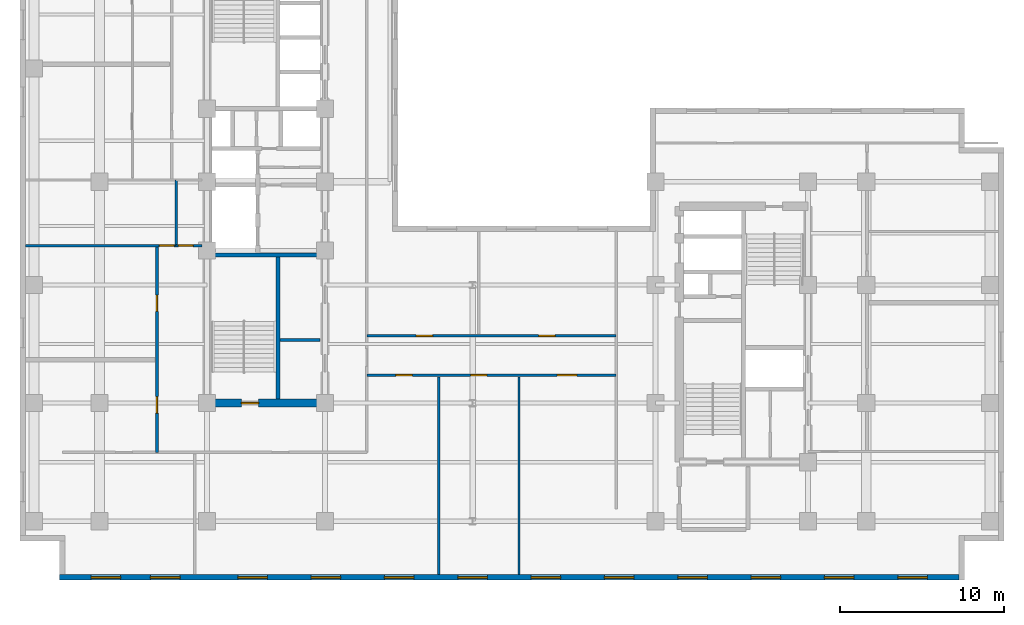
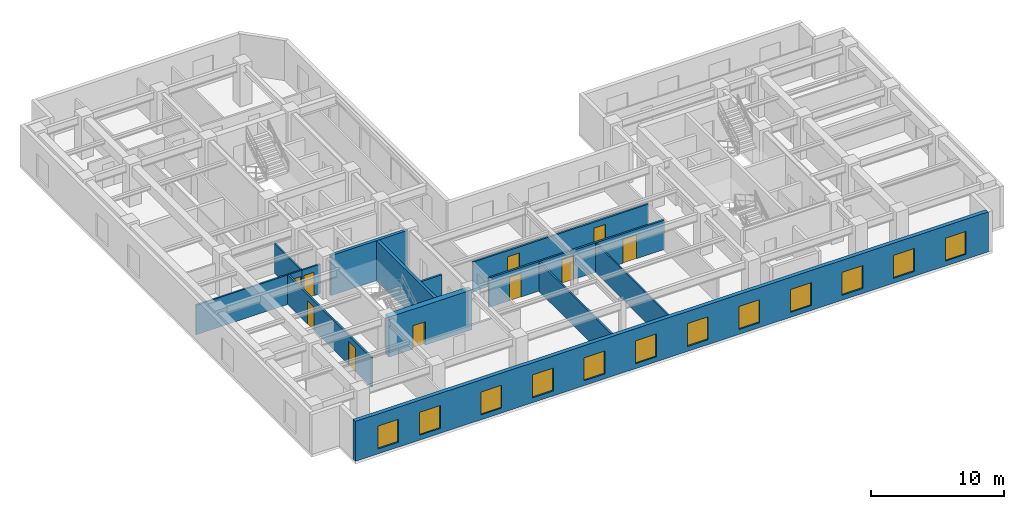
# One storey, part 3 of 10: 13 walls, 12 windows, 10 doors, 22 openings.
"""IFC4 building model written with IfcOpenShell, lengths in metres."""

from ifc_helpers import new_model, entity, si_unit, converted_unit, direction, frame, origin_with_axes, origin_2d_with_axis, place, context, subcontext, project, spatial, polyline, rectangle, outline, extrude, material, layer, layer_set, type_object, element, fill, save


model = new_model("IFC4")

# Units and contexts
model_context = context("Model", 3, precision=1e-05, world=origin_with_axes(), true_north=direction((0.0, 1.0)))
body_context = subcontext(model_context, "Body", "Model", "MODEL_VIEW")
ifc_project = project(units=[si_unit("LENGTHUNIT", "METRE"), si_unit("AREAUNIT", "SQUARE_METRE"), si_unit("VOLUMEUNIT", "CUBIC_METRE"), converted_unit("PLANEANGLEUNIT", "DEGREE", entity("IfcPlaneAngleMeasure", 0.017453292519943295), si_unit("PLANEANGLEUNIT", "RADIAN"), dimensions=[0, 0, 0, 0, 0, 0, 0]), si_unit("MASSUNIT", "GRAM", prefix="KILO"), si_unit("THERMODYNAMICTEMPERATUREUNIT", "KELVIN")], contexts=[model_context])

# Site, building, storey
site_placement = place(None, origin_with_axes())
site = spatial("IfcSite", under=ifc_project, at=site_placement, CompositionType="ELEMENT")
building_placement = place(site_placement, origin_with_axes())
building = spatial("IfcBuilding", under=site, at=building_placement, Name="Varnlund Millrace Tower", CompositionType="ELEMENT")
storey_placement = place(building_placement, frame((0.0, 0.0, 156.3), z_axis=(0.0, 0.0, 1.0), x_axis=(1.0, 0.0, 0.0)))
storey = spatial("IfcBuildingStorey", under=building, at=storey_placement, Name="L38", CompositionType="ELEMENT", Elevation=156.3)

# Wall, opening, door
ifc_material_1 = material(Name="Concrete C70/85", Category="concrete")
ifc_layer_1 = layer(ifc_material_1, 0.5, Name="Concrete C70/85")
ifc_layer_set_1 = layer_set([ifc_layer_1], Name="Concrete C70/85")
wall_type_1 = type_object("IfcWallType", Name="Type-CoreWall-Shear-500-C70", PredefinedType="SHEAR", material=ifc_layer_set_1)
wall_1_placement = place(storey_placement, frame((11.4, 10.8, 0.0), z_axis=(0.0, 0.0, 1.0), x_axis=(1.0, 0.0, 0.0)))
wall_1 = element("IfcWall", 1, at=wall_1_placement, inside=storey, type_object=wall_type_1, Name="Type-CoreWall-Shear-500-C70", PredefinedType="SHEAR", context=body_context, shape_type="SweptSolid", body=[
    extrude(outline(polyline([(0.0, -0.25), (7.2, -0.25), (7.2, 0.25), (0.0, 0.25), (0.0, -0.25)])), origin_with_axes(), (0.0, 0.0, 1.0), 3.66),
])
opening_1_placement = place(wall_1_placement, frame((2.625, 0.0, 0.0), z_axis=(0.0, 0.0, 1.0), x_axis=(1.0, 0.0, 0.0)))
opening_1 = element("IfcOpeningElement", 2, at=opening_1_placement, cuts=wall_1, Name="Opening L38:DR-STA1", PredefinedType="OPENING", context=body_context, shape_type="SweptSolid", body=[
    extrude(rectangle(XDim=1.05, YDim=0.52, at=origin_2d_with_axis()), origin_with_axes(), (0.0, 0.0, 1.0), 2.15),
])
ifc_material_2 = material(Name="Fire-rated hollow steel door", Category="steel")
door_type_1 = type_object("IfcDoorType", Name="Type-FireDoor-Stair-1050X2150", OperationType="NOTDEFINED", PredefinedType="DOOR", material=ifc_material_2)
door_1_placement = place(wall_1_placement, frame((2.625, 0.0, 0.0), z_axis=(0.0, 0.0, 1.0), x_axis=(1.0, 0.0, 0.0)))
door_1 = element("IfcDoor", 3, at=door_1_placement, inside=storey, type_object=door_type_1, Name="Type-FireDoor-Stair-1050X2150", OperationType="SINGLE_SWING_LEFT", OverallHeight=2.15, OverallWidth=1.05, PredefinedType="DOOR", context=body_context, shape_type="SweptSolid", body=[
    extrude(rectangle(XDim=1.05, YDim=0.09, at=origin_2d_with_axis()), origin_with_axes(), (0.0, 0.0, 1.0), 2.15),
])
fill(opening_1, door_1)

# Wall, openings, windows
ifc_material_3 = material(Name="Precast concrete C50/60", Category="concrete")
ifc_layer_2 = layer(ifc_material_3, 0.34, Name="Precast concrete C50/60")
ifc_layer_set_2 = layer_set([ifc_layer_2], Name="Precast concrete C50/60")
wall_type_2 = type_object("IfcWallType", Name="Type-ExtWall-Precast-Upper-340", PredefinedType="SOLIDWALL", material=ifc_layer_set_2)
wall_2_placement = place(storey_placement, frame((57.26, 0.17, 0.0), z_axis=(0.0, 0.0, 1.0), x_axis=(-1.0, 0.0, 0.0)))
wall_2 = element("IfcWall", 4, at=wall_2_placement, inside=storey, type_object=wall_type_2, Name="Type-ExtWall-Precast-Upper-340", PredefinedType="SOLIDWALL", context=body_context, shape_type="SweptSolid", body=[
    extrude(outline(polyline([(0.0, -0.17), (54.86, -0.17), (54.86, 0.17), (0.0, 0.17), (0.0, -0.17)])), origin_with_axes(), (0.0, 0.0, 1.0), 3.66),
])
opening_2_placement = place(wall_2_placement, frame((2.836, 0.0, 0.45), z_axis=(0.0, 0.0, 1.0), x_axis=(1.0, 0.0, 0.0)))
opening_2 = element("IfcOpeningElement", 5, at=opening_2_placement, cuts=wall_2, Name="Opening L38:WN-07", PredefinedType="OPENING", context=body_context, shape_type="SweptSolid", body=[
    extrude(rectangle(XDim=1.8, YDim=0.36, at=origin_2d_with_axis()), origin_with_axes(), (0.0, 0.0, 1.0), 2.1),
])
opening_3_placement = place(wall_2_placement, frame((7.307, 0.0, 0.45), z_axis=(0.0, 0.0, 1.0), x_axis=(1.0, 0.0, 0.0)))
opening_3 = element("IfcOpeningElement", 6, at=opening_3_placement, cuts=wall_2, Name="Opening L38:WN-08", PredefinedType="OPENING", context=body_context, shape_type="SweptSolid", body=[
    extrude(rectangle(XDim=1.8, YDim=0.36, at=origin_2d_with_axis()), origin_with_axes(), (0.0, 0.0, 1.0), 2.1),
])
opening_4_placement = place(wall_2_placement, frame((11.779, 0.0, 0.45), z_axis=(0.0, 0.0, 1.0), x_axis=(1.0, 0.0, 0.0)))
opening_4 = element("IfcOpeningElement", 7, at=opening_4_placement, cuts=wall_2, Name="Opening L38:WN-09", PredefinedType="OPENING", context=body_context, shape_type="SweptSolid", body=[
    extrude(rectangle(XDim=1.8, YDim=0.36, at=origin_2d_with_axis()), origin_with_axes(), (0.0, 0.0, 1.0), 2.1),
])
opening_5_placement = place(wall_2_placement, frame((16.251, 0.0, 0.45), z_axis=(0.0, 0.0, 1.0), x_axis=(1.0, 0.0, 0.0)))
opening_5 = element("IfcOpeningElement", 8, at=opening_5_placement, cuts=wall_2, Name="Opening L38:WN-10", PredefinedType="OPENING", context=body_context, shape_type="SweptSolid", body=[
    extrude(rectangle(XDim=1.8, YDim=0.36, at=origin_2d_with_axis()), origin_with_axes(), (0.0, 0.0, 1.0), 2.1),
])
opening_6_placement = place(wall_2_placement, frame((20.723, 0.0, 0.45), z_axis=(0.0, 0.0, 1.0), x_axis=(1.0, 0.0, 0.0)))
opening_6 = element("IfcOpeningElement", 9, at=opening_6_placement, cuts=wall_2, Name="Opening L38:WN-11", PredefinedType="OPENING", context=body_context, shape_type="SweptSolid", body=[
    extrude(rectangle(XDim=1.8, YDim=0.36, at=origin_2d_with_axis()), origin_with_axes(), (0.0, 0.0, 1.0), 2.1),
])
opening_7_placement = place(wall_2_placement, frame((25.194, 0.0, 0.45), z_axis=(0.0, 0.0, 1.0), x_axis=(1.0, 0.0, 0.0)))
opening_7 = element("IfcOpeningElement", 10, at=opening_7_placement, cuts=wall_2, Name="Opening L38:WN-12", PredefinedType="OPENING", context=body_context, shape_type="SweptSolid", body=[
    extrude(rectangle(XDim=1.8, YDim=0.36, at=origin_2d_with_axis()), origin_with_axes(), (0.0, 0.0, 1.0), 2.1),
])
opening_8_placement = place(wall_2_placement, frame((29.666, 0.0, 0.45), z_axis=(0.0, 0.0, 1.0), x_axis=(1.0, 0.0, 0.0)))
opening_8 = element("IfcOpeningElement", 11, at=opening_8_placement, cuts=wall_2, Name="Opening L38:WN-13", PredefinedType="OPENING", context=body_context, shape_type="SweptSolid", body=[
    extrude(rectangle(XDim=1.8, YDim=0.36, at=origin_2d_with_axis()), origin_with_axes(), (0.0, 0.0, 1.0), 2.1),
])
opening_9_placement = place(wall_2_placement, frame((34.138, 0.0, 0.45), z_axis=(0.0, 0.0, 1.0), x_axis=(1.0, 0.0, 0.0)))
opening_9 = element("IfcOpeningElement", 12, at=opening_9_placement, cuts=wall_2, Name="Opening L38:WN-14", PredefinedType="OPENING", context=body_context, shape_type="SweptSolid", body=[
    extrude(rectangle(XDim=1.8, YDim=0.36, at=origin_2d_with_axis()), origin_with_axes(), (0.0, 0.0, 1.0), 2.1),
])
opening_10_placement = place(wall_2_placement, frame((38.609, 0.0, 0.45), z_axis=(0.0, 0.0, 1.0), x_axis=(1.0, 0.0, 0.0)))
opening_10 = element("IfcOpeningElement", 13, at=opening_10_placement, cuts=wall_2, Name="Opening L38:WN-15", PredefinedType="OPENING", context=body_context, shape_type="SweptSolid", body=[
    extrude(rectangle(XDim=1.8, YDim=0.36, at=origin_2d_with_axis()), origin_with_axes(), (0.0, 0.0, 1.0), 2.1),
])
opening_11_placement = place(wall_2_placement, frame((43.081, 0.0, 0.45), z_axis=(0.0, 0.0, 1.0), x_axis=(1.0, 0.0, 0.0)))
opening_11 = element("IfcOpeningElement", 14, at=opening_11_placement, cuts=wall_2, Name="Opening L38:WN-16", PredefinedType="OPENING", context=body_context, shape_type="SweptSolid", body=[
    extrude(rectangle(XDim=1.8, YDim=0.36, at=origin_2d_with_axis()), origin_with_axes(), (0.0, 0.0, 1.0), 2.1),
])
opening_12_placement = place(wall_2_placement, frame((48.403, 0.0, 0.45), z_axis=(0.0, 0.0, 1.0), x_axis=(1.0, 0.0, 0.0)))
opening_12 = element("IfcOpeningElement", 15, at=opening_12_placement, cuts=wall_2, Name="Opening L38:WN-17", PredefinedType="OPENING", context=body_context, shape_type="SweptSolid", body=[
    extrude(rectangle(XDim=1.8, YDim=0.36, at=origin_2d_with_axis()), origin_with_axes(), (0.0, 0.0, 1.0), 2.1),
])
opening_13_placement = place(wall_2_placement, frame((52.024, 0.0, 0.45), z_axis=(0.0, 0.0, 1.0), x_axis=(1.0, 0.0, 0.0)))
opening_13 = element("IfcOpeningElement", 16, at=opening_13_placement, cuts=wall_2, Name="Opening L38:WN-18", PredefinedType="OPENING", context=body_context, shape_type="SweptSolid", body=[
    extrude(rectangle(XDim=1.8, YDim=0.36, at=origin_2d_with_axis()), origin_with_axes(), (0.0, 0.0, 1.0), 2.1),
])
ifc_material_4 = material(Name="Argon low-e triple glazing in thermally broken bronze frame", Category="glass")
window_type = type_object("IfcWindowType", Name="Type-Window-Punched-1800X2100", PartitioningType="SINGLE_PANEL", PredefinedType="WINDOW", material=ifc_material_4)
window_1_placement = place(wall_2_placement, frame((2.836, 0.0, 0.45), z_axis=(0.0, 0.0, 1.0), x_axis=(1.0, 0.0, 0.0)))
window_1 = element("IfcWindow", 17, at=window_1_placement, inside=storey, type_object=window_type, Name="Type-Window-Punched-1800X2100", OverallHeight=2.1, OverallWidth=1.8, PredefinedType="WINDOW", context=body_context, shape_type="SweptSolid", body=[
    extrude(rectangle(XDim=1.8, YDim=0.09, at=origin_2d_with_axis()), origin_with_axes(), (0.0, 0.0, 1.0), 2.1),
])
fill(opening_2, window_1)
window_2_placement = place(wall_2_placement, frame((7.307, 0.0, 0.45), z_axis=(0.0, 0.0, 1.0), x_axis=(1.0, 0.0, 0.0)))
window_2 = element("IfcWindow", 18, at=window_2_placement, inside=storey, type_object=window_type, Name="Type-Window-Punched-1800X2100", OverallHeight=2.1, OverallWidth=1.8, PredefinedType="WINDOW", context=body_context, shape_type="SweptSolid", body=[
    extrude(rectangle(XDim=1.8, YDim=0.09, at=origin_2d_with_axis()), origin_with_axes(), (0.0, 0.0, 1.0), 2.1),
])
fill(opening_3, window_2)
window_3_placement = place(wall_2_placement, frame((11.779, 0.0, 0.45), z_axis=(0.0, 0.0, 1.0), x_axis=(1.0, 0.0, 0.0)))
window_3 = element("IfcWindow", 19, at=window_3_placement, inside=storey, type_object=window_type, Name="Type-Window-Punched-1800X2100", OverallHeight=2.1, OverallWidth=1.8, PredefinedType="WINDOW", context=body_context, shape_type="SweptSolid", body=[
    extrude(rectangle(XDim=1.8, YDim=0.09, at=origin_2d_with_axis()), origin_with_axes(), (0.0, 0.0, 1.0), 2.1),
])
fill(opening_4, window_3)
window_4_placement = place(wall_2_placement, frame((16.251, 0.0, 0.45), z_axis=(0.0, 0.0, 1.0), x_axis=(1.0, 0.0, 0.0)))
window_4 = element("IfcWindow", 20, at=window_4_placement, inside=storey, type_object=window_type, Name="Type-Window-Punched-1800X2100", OverallHeight=2.1, OverallWidth=1.8, PredefinedType="WINDOW", context=body_context, shape_type="SweptSolid", body=[
    extrude(rectangle(XDim=1.8, YDim=0.09, at=origin_2d_with_axis()), origin_with_axes(), (0.0, 0.0, 1.0), 2.1),
])
fill(opening_5, window_4)
window_5_placement = place(wall_2_placement, frame((20.723, 0.0, 0.45), z_axis=(0.0, 0.0, 1.0), x_axis=(1.0, 0.0, 0.0)))
window_5 = element("IfcWindow", 21, at=window_5_placement, inside=storey, type_object=window_type, Name="Type-Window-Punched-1800X2100", OverallHeight=2.1, OverallWidth=1.8, PredefinedType="WINDOW", context=body_context, shape_type="SweptSolid", body=[
    extrude(rectangle(XDim=1.8, YDim=0.09, at=origin_2d_with_axis()), origin_with_axes(), (0.0, 0.0, 1.0), 2.1),
])
fill(opening_6, window_5)
window_6_placement = place(wall_2_placement, frame((25.194, 0.0, 0.45), z_axis=(0.0, 0.0, 1.0), x_axis=(1.0, 0.0, 0.0)))
window_6 = element("IfcWindow", 22, at=window_6_placement, inside=storey, type_object=window_type, Name="Type-Window-Punched-1800X2100", OverallHeight=2.1, OverallWidth=1.8, PredefinedType="WINDOW", context=body_context, shape_type="SweptSolid", body=[
    extrude(rectangle(XDim=1.8, YDim=0.09, at=origin_2d_with_axis()), origin_with_axes(), (0.0, 0.0, 1.0), 2.1),
])
fill(opening_7, window_6)
window_7_placement = place(wall_2_placement, frame((29.666, 0.0, 0.45), z_axis=(0.0, 0.0, 1.0), x_axis=(1.0, 0.0, 0.0)))
window_7 = element("IfcWindow", 23, at=window_7_placement, inside=storey, type_object=window_type, Name="Type-Window-Punched-1800X2100", OverallHeight=2.1, OverallWidth=1.8, PredefinedType="WINDOW", context=body_context, shape_type="SweptSolid", body=[
    extrude(rectangle(XDim=1.8, YDim=0.09, at=origin_2d_with_axis()), origin_with_axes(), (0.0, 0.0, 1.0), 2.1),
])
fill(opening_8, window_7)
window_8_placement = place(wall_2_placement, frame((34.138, 0.0, 0.45), z_axis=(0.0, 0.0, 1.0), x_axis=(1.0, 0.0, 0.0)))
window_8 = element("IfcWindow", 24, at=window_8_placement, inside=storey, type_object=window_type, Name="Type-Window-Punched-1800X2100", OverallHeight=2.1, OverallWidth=1.8, PredefinedType="WINDOW", context=body_context, shape_type="SweptSolid", body=[
    extrude(rectangle(XDim=1.8, YDim=0.09, at=origin_2d_with_axis()), origin_with_axes(), (0.0, 0.0, 1.0), 2.1),
])
fill(opening_9, window_8)
window_9_placement = place(wall_2_placement, frame((38.609, 0.0, 0.45), z_axis=(0.0, 0.0, 1.0), x_axis=(1.0, 0.0, 0.0)))
window_9 = element("IfcWindow", 25, at=window_9_placement, inside=storey, type_object=window_type, Name="Type-Window-Punched-1800X2100", OverallHeight=2.1, OverallWidth=1.8, PredefinedType="WINDOW", context=body_context, shape_type="SweptSolid", body=[
    extrude(rectangle(XDim=1.8, YDim=0.09, at=origin_2d_with_axis()), origin_with_axes(), (0.0, 0.0, 1.0), 2.1),
])
fill(opening_10, window_9)
window_10_placement = place(wall_2_placement, frame((43.081, 0.0, 0.45), z_axis=(0.0, 0.0, 1.0), x_axis=(1.0, 0.0, 0.0)))
window_10 = element("IfcWindow", 26, at=window_10_placement, inside=storey, type_object=window_type, Name="Type-Window-Punched-1800X2100", OverallHeight=2.1, OverallWidth=1.8, PredefinedType="WINDOW", context=body_context, shape_type="SweptSolid", body=[
    extrude(rectangle(XDim=1.8, YDim=0.09, at=origin_2d_with_axis()), origin_with_axes(), (0.0, 0.0, 1.0), 2.1),
])
fill(opening_11, window_10)
window_11_placement = place(wall_2_placement, frame((48.403, 0.0, 0.45), z_axis=(0.0, 0.0, 1.0), x_axis=(1.0, 0.0, 0.0)))
window_11 = element("IfcWindow", 27, at=window_11_placement, inside=storey, type_object=window_type, Name="Type-Window-Punched-1800X2100", OverallHeight=2.1, OverallWidth=1.8, PredefinedType="WINDOW", context=body_context, shape_type="SweptSolid", body=[
    extrude(rectangle(XDim=1.8, YDim=0.09, at=origin_2d_with_axis()), origin_with_axes(), (0.0, 0.0, 1.0), 2.1),
])
fill(opening_12, window_11)
window_12_placement = place(wall_2_placement, frame((52.024, 0.0, 0.45), z_axis=(0.0, 0.0, 1.0), x_axis=(1.0, 0.0, 0.0)))
window_12 = element("IfcWindow", 28, at=window_12_placement, inside=storey, type_object=window_type, Name="Type-Window-Punched-1800X2100", OverallHeight=2.1, OverallWidth=1.8, PredefinedType="WINDOW", context=body_context, shape_type="SweptSolid", body=[
    extrude(rectangle(XDim=1.8, YDim=0.09, at=origin_2d_with_axis()), origin_with_axes(), (0.0, 0.0, 1.0), 2.1),
])
fill(opening_13, window_12)

# Wall
ifc_material_5 = material(Name="Fire-rated gypsum board on cold-formed steel framing", Category="steel")
ifc_layer_3 = layer(ifc_material_5, 0.16, Name="Fire-rated gypsum board on cold-formed steel framing")
ifc_layer_set_3 = layer_set([ifc_layer_3], Name="Fire-rated gypsum board on cold-formed steel framing")
wall_type_3 = type_object("IfcWallType", Name="Type-Partition-Corridor-160", PredefinedType="PARTITIONING", material=ifc_layer_set_3)
wall_3_placement = place(storey_placement, frame((15.84, 14.65, 0.0), z_axis=(0.0, 0.0, 1.0), x_axis=(1.0, 0.0, 0.0)))
element("IfcWall", 29, at=wall_3_placement, inside=storey, type_object=wall_type_3, Name="Type-Partition-Corridor-160", PredefinedType="PARTITIONING", context=body_context, shape_type="SweptSolid", body=[
    extrude(outline(polyline([(0.0, -0.08), (2.46, -0.08), (2.46, 0.08), (0.0, 0.08), (0.0, -0.08)])), origin_with_axes(), (0.0, 0.0, 1.0), 2.7),
])

# Wall, openings, doors
wall_4_placement = place(storey_placement, frame((8.35, 7.8, 0.0), z_axis=(0.0, 0.0, 1.0), x_axis=(0.0, 1.0, 0.0)))
wall_4 = element("IfcWall", 30, at=wall_4_placement, inside=storey, type_object=wall_type_3, Name="Type-Partition-Corridor-160", PredefinedType="PARTITIONING", context=body_context, shape_type="SweptSolid", body=[
    extrude(outline(polyline([(0.0, -0.08), (12.6, -0.08), (12.6, 0.08), (0.0, 0.08), (0.0, -0.08)])), origin_with_axes(), (0.0, 0.0, 1.0), 2.7),
])
opening_14_placement = place(wall_4_placement, frame((2.8925, 0.0, 0.0), z_axis=(0.0, 0.0, 1.0), x_axis=(1.0, 0.0, 0.0)))
opening_14 = element("IfcOpeningElement", 31, at=opening_14_placement, cuts=wall_4, Name="Opening L38:DR-WS-01", PredefinedType="OPENING", context=body_context, shape_type="SweptSolid", body=[
    extrude(rectangle(XDim=1.0, YDim=0.18, at=origin_2d_with_axis()), origin_with_axes(), (0.0, 0.0, 1.0), 2.15),
])
opening_15_placement = place(wall_4_placement, frame((9.0875, 0.0, 0.0), z_axis=(0.0, 0.0, 1.0), x_axis=(1.0, 0.0, 0.0)))
opening_15 = element("IfcOpeningElement", 32, at=opening_15_placement, cuts=wall_4, Name="Opening L38:DR-WS-02", PredefinedType="OPENING", context=body_context, shape_type="SweptSolid", body=[
    extrude(rectangle(XDim=1.0, YDim=0.18, at=origin_2d_with_axis()), origin_with_axes(), (0.0, 0.0, 1.0), 2.15),
])
ifc_material_6 = material(Name="Solid-core white oak and bronze frame door")
door_type_2 = type_object("IfcDoorType", Name="Type-IntDoor-Office-1000X2150", OperationType="NOTDEFINED", PredefinedType="DOOR", material=ifc_material_6)
door_2_placement = place(wall_4_placement, frame((2.8925, 0.0, 0.0), z_axis=(0.0, 0.0, 1.0), x_axis=(1.0, 0.0, 0.0)))
door_2 = element("IfcDoor", 33, at=door_2_placement, inside=storey, type_object=door_type_2, Name="Type-IntDoor-Office-1000X2150", OperationType="SINGLE_SWING_LEFT", OverallHeight=2.15, OverallWidth=1.0, PredefinedType="DOOR", context=body_context, shape_type="SweptSolid", body=[
    extrude(rectangle(XDim=1.0, YDim=0.09, at=origin_2d_with_axis()), origin_with_axes(), (0.0, 0.0, 1.0), 2.15),
])
fill(opening_14, door_2)
door_3_placement = place(wall_4_placement, frame((9.0875, 0.0, 0.0), z_axis=(0.0, 0.0, 1.0), x_axis=(1.0, 0.0, 0.0)))
door_3 = element("IfcDoor", 34, at=door_3_placement, inside=storey, type_object=door_type_2, Name="Type-IntDoor-Office-1000X2150", OperationType="SINGLE_SWING_RIGHT", OverallHeight=2.15, OverallWidth=1.0, PredefinedType="DOOR", context=body_context, shape_type="SweptSolid", body=[
    extrude(rectangle(XDim=1.0, YDim=0.09, at=origin_2d_with_axis()), origin_with_axes(), (0.0, 0.0, 1.0), 2.15),
])
fill(opening_15, door_3)

wall_5_placement = place(storey_placement, frame((21.15, 12.5, 0.0), z_axis=(0.0, 0.0, 1.0), x_axis=(1.0, 0.0, 0.0)))
wall_5 = element("IfcWall", 35, at=wall_5_placement, inside=storey, type_object=wall_type_3, Name="Type-Partition-Corridor-160", PredefinedType="PARTITIONING", context=body_context, shape_type="SweptSolid", body=[
    extrude(outline(polyline([(0.0, -0.08), (15.2, -0.08), (15.2, 0.08), (0.0, 0.08), (0.0, -0.08)])), origin_with_axes(), (0.0, 0.0, 1.0), 2.7),
])
opening_16_placement = place(wall_5_placement, frame((2.276, 0.0, 0.0), z_axis=(0.0, 0.0, 1.0), x_axis=(1.0, 0.0, 0.0)))
opening_16 = element("IfcOpeningElement", 36, at=opening_16_placement, cuts=wall_5, Name="Opening L38:DR-KNS-01", PredefinedType="OPENING", context=body_context, shape_type="SweptSolid", body=[
    extrude(rectangle(XDim=1.0, YDim=0.18, at=origin_2d_with_axis()), origin_with_axes(), (0.0, 0.0, 1.0), 2.15),
])
opening_17_placement = place(wall_5_placement, frame((6.8245, 0.0, 0.0), z_axis=(0.0, 0.0, 1.0), x_axis=(1.0, 0.0, 0.0)))
opening_17 = element("IfcOpeningElement", 37, at=opening_17_placement, cuts=wall_5, Name="Opening L38:DR-KNS-02", PredefinedType="OPENING", context=body_context, shape_type="SweptSolid", body=[
    extrude(rectangle(XDim=1.0, YDim=0.18, at=origin_2d_with_axis()), origin_with_axes(), (0.0, 0.0, 1.0), 2.15),
])
opening_18_placement = place(wall_5_placement, frame((12.1985, 0.0, 0.0), z_axis=(0.0, 0.0, 1.0), x_axis=(1.0, 0.0, 0.0)))
opening_18 = element("IfcOpeningElement", 38, at=opening_18_placement, cuts=wall_5, Name="Opening L38:DR-KNS-03", PredefinedType="OPENING", context=body_context, shape_type="SweptSolid", body=[
    extrude(rectangle(XDim=1.2, YDim=0.18, at=origin_2d_with_axis()), origin_with_axes(), (0.0, 0.0, 1.0), 2.2),
])
ifc_material_7 = material(Name="Wide executive white oak acoustic door")
door_type_3 = type_object("IfcDoorType", Name="Type-IntDoor-Exec-1200X2200", OperationType="NOTDEFINED", PredefinedType="DOOR", material=ifc_material_7)
door_4_placement = place(wall_5_placement, frame((12.1985, 0.0, 0.0), z_axis=(0.0, 0.0, 1.0), x_axis=(1.0, 0.0, 0.0)))
door_4 = element("IfcDoor", 39, at=door_4_placement, inside=storey, type_object=door_type_3, Name="Type-IntDoor-Exec-1200X2200", OperationType="SINGLE_SWING_LEFT", OverallHeight=2.2, OverallWidth=1.2, PredefinedType="DOOR", context=body_context, shape_type="SweptSolid", body=[
    extrude(rectangle(XDim=1.2, YDim=0.09, at=origin_2d_with_axis()), origin_with_axes(), (0.0, 0.0, 1.0), 2.2),
])
fill(opening_18, door_4)
door_5_placement = place(wall_5_placement, frame((2.276, 0.0, 0.0), z_axis=(0.0, 0.0, 1.0), x_axis=(1.0, 0.0, 0.0)))
door_5 = element("IfcDoor", 40, at=door_5_placement, inside=storey, type_object=door_type_2, Name="Type-IntDoor-Office-1000X2150", OperationType="SINGLE_SWING_LEFT", OverallHeight=2.15, OverallWidth=1.0, PredefinedType="DOOR", context=body_context, shape_type="SweptSolid", body=[
    extrude(rectangle(XDim=1.0, YDim=0.09, at=origin_2d_with_axis()), origin_with_axes(), (0.0, 0.0, 1.0), 2.15),
])
fill(opening_16, door_5)
door_6_placement = place(wall_5_placement, frame((6.8245, 0.0, 0.0), z_axis=(0.0, 0.0, 1.0), x_axis=(1.0, 0.0, 0.0)))
door_6 = element("IfcDoor", 41, at=door_6_placement, inside=storey, type_object=door_type_2, Name="Type-IntDoor-Office-1000X2150", OperationType="SINGLE_SWING_RIGHT", OverallHeight=2.15, OverallWidth=1.0, PredefinedType="DOOR", context=body_context, shape_type="SweptSolid", body=[
    extrude(rectangle(XDim=1.0, YDim=0.09, at=origin_2d_with_axis()), origin_with_axes(), (0.0, 0.0, 1.0), 2.15),
])
fill(opening_17, door_6)

wall_6_placement = place(storey_placement, frame((21.15, 14.9, 0.0), z_axis=(0.0, 0.0, 1.0), x_axis=(1.0, 0.0, 0.0)))
wall_6 = element("IfcWall", 42, at=wall_6_placement, inside=storey, type_object=wall_type_3, Name="Type-Partition-Corridor-160", PredefinedType="PARTITIONING", context=body_context, shape_type="SweptSolid", body=[
    extrude(outline(polyline([(0.0, -0.08), (15.2, -0.08), (15.2, 0.08), (0.0, 0.08), (0.0, -0.08)])), origin_with_axes(), (0.0, 0.0, 1.0), 2.7),
])
opening_19_placement = place(wall_6_placement, frame((3.5065, 0.0, 0.0), z_axis=(0.0, 0.0, 1.0), x_axis=(1.0, 0.0, 0.0)))
opening_19 = element("IfcOpeningElement", 43, at=opening_19_placement, cuts=wall_6, Name="Opening L38:DR-KN-01", PredefinedType="OPENING", context=body_context, shape_type="SweptSolid", body=[
    extrude(rectangle(XDim=1.0, YDim=0.18, at=origin_2d_with_axis()), origin_with_axes(), (0.0, 0.0, 1.0), 2.15),
])
opening_20_placement = place(wall_6_placement, frame((10.9765, 0.0, 0.0), z_axis=(0.0, 0.0, 1.0), x_axis=(1.0, 0.0, 0.0)))
opening_20 = element("IfcOpeningElement", 44, at=opening_20_placement, cuts=wall_6, Name="Opening L38:DR-KN-02", PredefinedType="OPENING", context=body_context, shape_type="SweptSolid", body=[
    extrude(rectangle(XDim=1.0, YDim=0.18, at=origin_2d_with_axis()), origin_with_axes(), (0.0, 0.0, 1.0), 2.15),
])
door_7_placement = place(wall_6_placement, frame((3.5065, 0.0, 0.0), z_axis=(0.0, 0.0, 1.0), x_axis=(1.0, 0.0, 0.0)))
door_7 = element("IfcDoor", 45, at=door_7_placement, inside=storey, type_object=door_type_2, Name="Type-IntDoor-Office-1000X2150", OperationType="SINGLE_SWING_LEFT", OverallHeight=2.15, OverallWidth=1.0, PredefinedType="DOOR", context=body_context, shape_type="SweptSolid", body=[
    extrude(rectangle(XDim=1.0, YDim=0.09, at=origin_2d_with_axis()), origin_with_axes(), (0.0, 0.0, 1.0), 2.15),
])
fill(opening_19, door_7)
door_8_placement = place(wall_6_placement, frame((10.9765, 0.0, 0.0), z_axis=(0.0, 0.0, 1.0), x_axis=(1.0, 0.0, 0.0)))
door_8 = element("IfcDoor", 46, at=door_8_placement, inside=storey, type_object=door_type_2, Name="Type-IntDoor-Office-1000X2150", OperationType="SINGLE_SWING_RIGHT", OverallHeight=2.15, OverallWidth=1.0, PredefinedType="DOOR", context=body_context, shape_type="SweptSolid", body=[
    extrude(rectangle(XDim=1.0, YDim=0.09, at=origin_2d_with_axis()), origin_with_axes(), (0.0, 0.0, 1.0), 2.15),
])
fill(opening_20, door_8)

# Walls
ifc_material_8 = material(Name="Acoustic STC-50 gypsum board partition", Category="gypsum")
ifc_layer_4 = layer(ifc_material_8, 0.15, Name="Acoustic STC-50 gypsum board partition")
ifc_layer_set_4 = layer_set([ifc_layer_4], Name="Acoustic STC-50 gypsum board partition")
wall_type_4 = type_object("IfcWallType", Name="Type-Partition-Demising-150", PredefinedType="PARTITIONING", material=ifc_layer_set_4)
wall_7_placement = place(storey_placement, frame((25.522, 0.335, 0.0), z_axis=(0.0, 0.0, 1.0), x_axis=(0.0, 1.0, 0.0)))
element("IfcWall", 47, at=wall_7_placement, inside=storey, type_object=wall_type_4, Name="Type-Partition-Demising-150", PredefinedType="PARTITIONING", context=body_context, shape_type="SweptSolid", body=[
    extrude(outline(polyline([(0.0, -0.075), (12.045, -0.075), (12.045, 0.075), (0.0, 0.075), (0.0, -0.075)])), origin_with_axes(), (0.0, 0.0, 1.0), 2.7),
])
ifc_material_9 = material(Name="Gypsum board tenant partition", Category="gypsum")
ifc_layer_5 = layer(ifc_material_9, 0.125, Name="Gypsum board tenant partition")
ifc_layer_set_5 = layer_set([ifc_layer_5], Name="Gypsum board tenant partition")
wall_type_5 = type_object("IfcWallType", Name="Type-Partition-Tenant-125", PredefinedType="PARTITIONING", material=ifc_layer_set_5)
wall_8_placement = place(storey_placement, frame((30.427, 0.335, 0.0), z_axis=(0.0, 0.0, 1.0), x_axis=(0.0, 1.0, 0.0)))
element("IfcWall", 48, at=wall_8_placement, inside=storey, type_object=wall_type_5, Name="Type-Partition-Tenant-125", PredefinedType="PARTITIONING", context=body_context, shape_type="SweptSolid", body=[
    extrude(outline(polyline([(0.0, -0.0625), (12.045, -0.0625), (12.045, 0.0625), (0.0, 0.0625), (0.0, -0.0625)])), origin_with_axes(), (0.0, 0.0, 1.0), 2.7),
])
ifc_material_10 = material(Name="Moisture-resistant gypsum restroom partition", Category="gypsum")
ifc_layer_6 = layer(ifc_material_10, 0.14, Name="Moisture-resistant gypsum restroom partition")
ifc_layer_set_6 = layer_set([ifc_layer_6], Name="Moisture-resistant gypsum restroom partition")
wall_type_6 = type_object("IfcWallType", Name="Type-Partition-Wet-140", PredefinedType="PARTITIONING", material=ifc_layer_set_6)
wall_9_placement = place(storey_placement, frame((9.52, 20.4, 0.0), z_axis=(0.0, 0.0, 1.0), x_axis=(0.0, 1.0, 0.0)))
element("IfcWall", 49, at=wall_9_placement, inside=storey, type_object=wall_type_6, Name="Type-Partition-Wet-140", PredefinedType="PARTITIONING", context=body_context, shape_type="SweptSolid", body=[
    extrude(outline(polyline([(0.0, -0.07), (4.0, -0.07), (4.0, 0.07), (0.0, 0.07), (0.0, -0.07)])), origin_with_axes(), (0.0, 0.0, 1.0), 2.7),
])

# Wall, opening, door
wall_10_placement = place(storey_placement, frame((9.52, 20.4, 0.0), z_axis=(0.0, 0.0, 1.0), x_axis=(1.0, 0.0, 0.0)))
wall_10 = element("IfcWall", 50, at=wall_10_placement, inside=storey, type_object=wall_type_6, Name="Type-Partition-Wet-140", PredefinedType="PARTITIONING", context=body_context, shape_type="SweptSolid", body=[
    extrude(outline(polyline([(0.0, -0.07), (1.58, -0.07), (1.58, 0.07), (0.0, 0.07), (0.0, -0.07)])), origin_with_axes(), (0.0, 0.0, 1.0), 2.7),
])
opening_21_placement = place(wall_10_placement, frame((0.59, 0.0, 0.0), z_axis=(0.0, 0.0, 1.0), x_axis=(1.0, 0.0, 0.0)))
opening_21 = element("IfcOpeningElement", 51, at=opening_21_placement, cuts=wall_10, Name="Opening L38:DR-CA-WCW", PredefinedType="OPENING", context=body_context, shape_type="SweptSolid", body=[
    extrude(rectangle(XDim=0.9, YDim=0.16, at=origin_2d_with_axis()), origin_with_axes(), (0.0, 0.0, 1.0), 2.15),
])
ifc_material_11 = material(Name="Painted steel riser and closet door", Category="steel")
door_type_4 = type_object("IfcDoorType", Name="Type-IntDoor-Closet-900X2150", OperationType="NOTDEFINED", PredefinedType="DOOR", material=ifc_material_11)
door_9_placement = place(wall_10_placement, frame((0.59, 0.0, 0.0), z_axis=(0.0, 0.0, 1.0), x_axis=(1.0, 0.0, 0.0)))
door_9 = element("IfcDoor", 52, at=door_9_placement, inside=storey, type_object=door_type_4, Name="Type-IntDoor-Closet-900X2150", OperationType="SINGLE_SWING_LEFT", OverallHeight=2.15, OverallWidth=0.9, PredefinedType="DOOR", context=body_context, shape_type="SweptSolid", body=[
    extrude(rectangle(XDim=0.9, YDim=0.084, at=origin_2d_with_axis()), origin_with_axes(), (0.0, 0.0, 1.0), 2.15),
])
fill(opening_21, door_9)

wall_11_placement = place(storey_placement, frame((0.335, 20.4, 0.0), z_axis=(0.0, 0.0, 1.0), x_axis=(1.0, 0.0, 0.0)))
wall_11 = element("IfcWall", 53, at=wall_11_placement, inside=storey, type_object=wall_type_6, Name="Type-Partition-Wet-140", PredefinedType="PARTITIONING", context=body_context, shape_type="SweptSolid", body=[
    extrude(outline(polyline([(0.0, -0.07), (9.185, -0.07), (9.185, 0.07), (0.0, 0.07), (0.0, -0.07)])), origin_with_axes(), (0.0, 0.0, 1.0), 2.7),
])
opening_22_placement = place(wall_11_placement, frame((8.615, 0.0, 0.0), z_axis=(0.0, 0.0, 1.0), x_axis=(1.0, 0.0, 0.0)))
opening_22 = element("IfcOpeningElement", 54, at=opening_22_placement, cuts=wall_11, Name="Opening L38:DR-W-MIDR", PredefinedType="OPENING", context=body_context, shape_type="SweptSolid", body=[
    extrude(rectangle(XDim=0.9, YDim=0.16, at=origin_2d_with_axis()), origin_with_axes(), (0.0, 0.0, 1.0), 2.15),
])
door_10_placement = place(wall_11_placement, frame((8.615, 0.0, 0.0), z_axis=(0.0, 0.0, 1.0), x_axis=(1.0, 0.0, 0.0)))
door_10 = element("IfcDoor", 55, at=door_10_placement, inside=storey, type_object=door_type_4, Name="Type-IntDoor-Closet-900X2150", OperationType="SINGLE_SWING_LEFT", OverallHeight=2.15, OverallWidth=0.9, PredefinedType="DOOR", context=body_context, shape_type="SweptSolid", body=[
    extrude(rectangle(XDim=0.9, YDim=0.084, at=origin_2d_with_axis()), origin_with_axes(), (0.0, 0.0, 1.0), 2.15),
])
fill(opening_22, door_10)

# Walls
ifc_material_12 = material(Name="Concrete C60/75", Category="concrete")
ifc_layer_7 = layer(ifc_material_12, 0.25, Name="Concrete C60/75")
ifc_layer_set_7 = layer_set([ifc_layer_7], Name="Concrete C60/75")
wall_type_7 = type_object("IfcWallType", Name="Type-StairWall-Shear-250", PredefinedType="SHEAR", material=ifc_layer_set_7)
wall_12_placement = place(storey_placement, frame((15.725, 11.05, 0.0), z_axis=(0.0, 0.0, 1.0), x_axis=(0.0, 1.0, 0.0)))
element("IfcWall", 56, at=wall_12_placement, inside=storey, type_object=wall_type_7, Name="Type-StairWall-Shear-250", PredefinedType="SHEAR", context=body_context, shape_type="SweptSolid", body=[
    extrude(outline(polyline([(0.0, -0.125), (8.65, -0.125), (8.65, 0.125), (0.0, 0.125), (0.0, -0.125)])), origin_with_axes(), (0.0, 0.0, 1.0), 3.66),
])
wall_13_placement = place(storey_placement, frame((11.65, 19.825, 0.0), z_axis=(0.0, 0.0, 1.0), x_axis=(1.0, 0.0, 0.0)))
element("IfcWall", 57, at=wall_13_placement, inside=storey, type_object=wall_type_7, Name="Type-StairWall-Shear-250", PredefinedType="SHEAR", context=body_context, shape_type="SweptSolid", body=[
    extrude(outline(polyline([(0.0, -0.125), (6.7, -0.125), (6.7, 0.125), (0.0, 0.125), (0.0, -0.125)])), origin_with_axes(), (0.0, 0.0, 1.0), 3.66),
])

save(model, "model.ifc")
